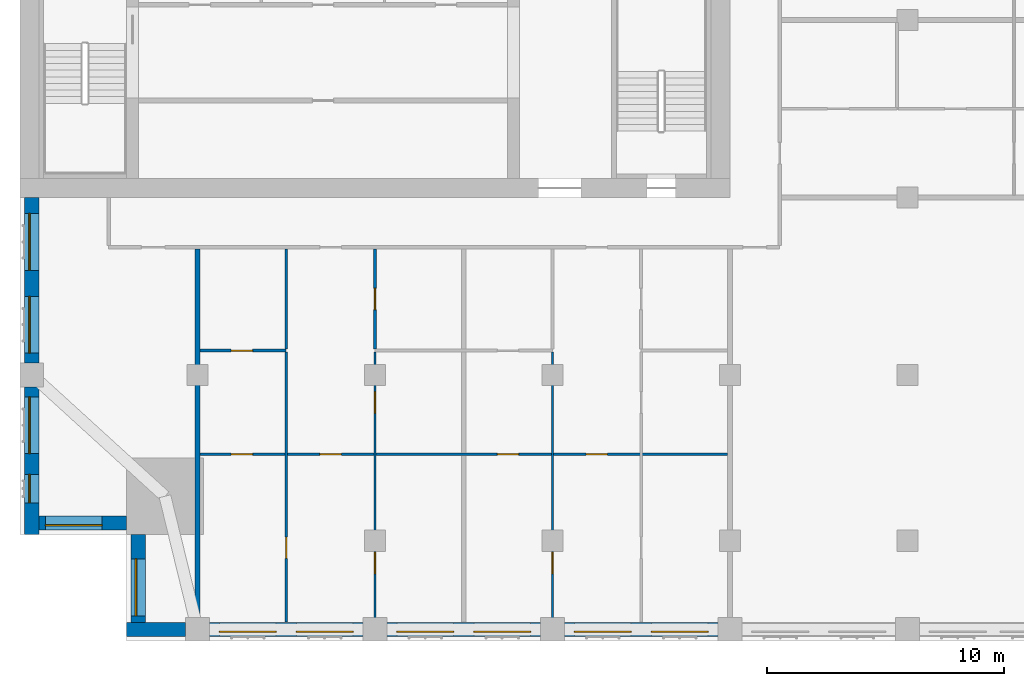
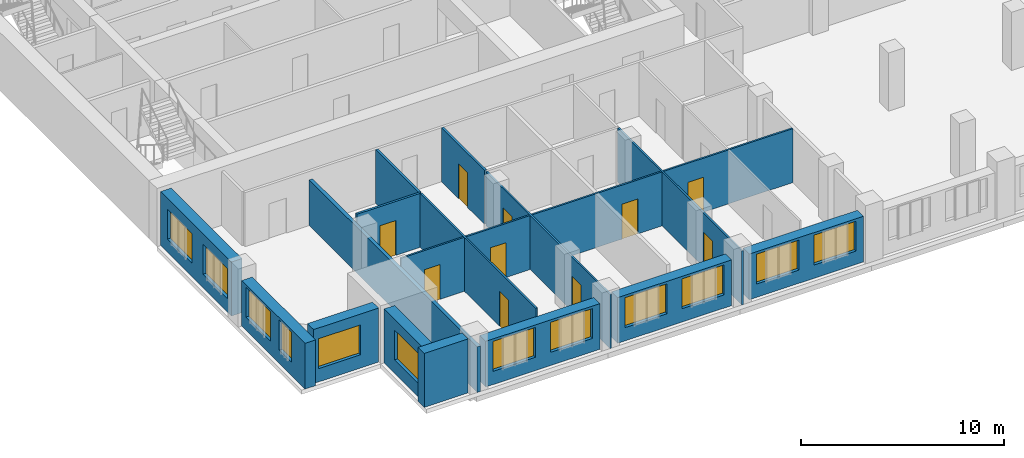
# One storey, part 6 of 14: 16 walls, 12 windows, 10 doors, 22 openings.
"""IFC4 building model written with IfcOpenShell, lengths in metres."""

from ifc_helpers import new_model, si_unit, direction, frame, frame_2d, origin, place, context, subcontext, project, spatial, rectangle, extrude, material, layer, layer_set, type_object, element, fill, save


model = new_model("IFC4")

# Units and contexts
model_context = context("Model", 3, precision=1e-05, world=origin(), true_north=direction((0.0, 1.0)))
body_context = subcontext(model_context, "Body", "Model", "MODEL_VIEW")
ifc_project = project(units=[si_unit("LENGTHUNIT", "METRE"), si_unit("AREAUNIT", "SQUARE_METRE"), si_unit("VOLUMEUNIT", "CUBIC_METRE"), si_unit("PLANEANGLEUNIT", "RADIAN"), si_unit("MASSUNIT", "GRAM", prefix="KILO")], contexts=[model_context])

# Site, building, storey
site_placement = place(None, origin())
site = spatial("IfcSite", under=ifc_project, at=site_placement, CompositionType="ELEMENT")
building_placement = place(site_placement, origin())
building = spatial("IfcBuilding", under=site, at=building_placement, Name="Tamorin Gate", CompositionType="ELEMENT")
storey_placement = place(building_placement, frame((0.0, 0.0, 196.699951171875)))
storey = spatial("IfcBuildingStorey", under=building, at=storey_placement, Name="L48", CompositionType="ELEMENT", Elevation=196.699951171875)

# Wall
ifc_material_1 = material(Name="Precast concrete C40/50", Category="concrete")
ifc_layer_1 = layer(ifc_material_1, 0.60009765625)
ifc_layer_set_1 = layer_set([ifc_layer_1], Name="Precast concrete C40/50")
wall_type_1 = type_object("IfcWallType", Name="Board-marked concrete facade panel 600", PredefinedType="SOLIDWALL", material=ifc_layer_set_1)
wall_1_placement = place(storey_placement, frame((34.5, 41.75, 0.0), z_axis=(0.0, 0.0, 1.0), x_axis=(1.0, 0.0, 0.0)))
element("IfcWall", 1, at=wall_1_placement, inside=storey, type_object=wall_type_1, Name="Facade panel", PredefinedType="SOLIDWALL", context=body_context, shape_type="SweptSolid", body=[
    extrude(rectangle(XDim=2.5, YDim=0.60009765625, at=frame_2d((1.25, 0.0))), origin(), (0.0, 0.0, 1.0), 3.25),
])

# Wall, openings, windows
wall_2_placement = place(storey_placement, frame((38.0, 41.75, 0.0), z_axis=(0.0, 0.0, 1.0), x_axis=(1.0, 0.0, 0.0)))
wall_2 = element("IfcWall", 2, at=wall_2_placement, inside=storey, type_object=wall_type_1, Name="Facade panel", PredefinedType="SOLIDWALL", context=body_context, shape_type="SweptSolid", body=[
    extrude(rectangle(XDim=6.5, YDim=0.60009765625, at=frame_2d((3.25, 0.0))), origin(), (0.0, 0.0, 1.0), 2.75),
])
opening_1_placement = place(wall_2_placement, frame((0.425048828125, 0.0, 0.800048828125)))
opening_1 = element("IfcOpeningElement", 3, at=opening_1_placement, cuts=wall_2, Name="Opening WN1", PredefinedType="OPENING", context=body_context, shape_type="SweptSolid", body=[
    extrude(rectangle(XDim=2.39990234375, YDim=1.800048828125, at=frame_2d((1.199951171875, 0.89990234375))), frame((0.0, 0.31005859375, 0.0), z_axis=(0.0, -1.0, 0.0), x_axis=(1.0, 0.0, 0.0)), (0.0, 0.0, 1.0), 0.6201171875),
])
opening_2_placement = place(wall_2_placement, frame((3.675048828125, 0.0, 0.800048828125)))
opening_2 = element("IfcOpeningElement", 4, at=opening_2_placement, cuts=wall_2, Name="Opening WN1", PredefinedType="OPENING", context=body_context, shape_type="SweptSolid", body=[
    extrude(rectangle(XDim=2.39990234375, YDim=1.800048828125, at=frame_2d((1.199951171875, 0.89990234375))), frame((0.0, 0.31005859375, 0.0), z_axis=(0.0, -1.0, 0.0), x_axis=(1.0, 0.0, 0.0)), (0.0, 0.0, 1.0), 0.6201171875),
])
ifc_material_2 = material(Name="Clear glass in aluminium frame", Category="aluminium")
window_type_1 = type_object("IfcWindowType", Name="Deep-set window 2400x1800", PartitioningType="SINGLE_PANEL", PredefinedType="WINDOW", material=ifc_material_2)
window_1_placement = place(opening_1_placement, origin())
window_1 = element("IfcWindow", 5, at=window_1_placement, inside=storey, type_object=window_type_1, Name="Deep-set window", OverallHeight=1.800048828125, OverallWidth=2.39990234375, PartitioningType="SINGLE_PANEL", PredefinedType="WINDOW", context=body_context, shape_type="SweptSolid", body=[
    extrude(rectangle(XDim=2.39990234375, YDim=1.800048828125, at=frame_2d((1.199951171875, 0.89990234375))), frame((0.0, -0.070068359375, 0.0), z_axis=(0.0, -1.0, 0.0), x_axis=(1.0, 0.0, 0.0)), (0.0, 0.0, 1.0), 0.06005859375),
])
fill(opening_1, window_1)
window_2_placement = place(opening_2_placement, origin())
window_2 = element("IfcWindow", 6, at=window_2_placement, inside=storey, type_object=window_type_1, Name="Deep-set window", OverallHeight=1.800048828125, OverallWidth=2.39990234375, PartitioningType="SINGLE_PANEL", PredefinedType="WINDOW", context=body_context, shape_type="SweptSolid", body=[
    extrude(rectangle(XDim=2.39990234375, YDim=1.800048828125, at=frame_2d((1.199951171875, 0.89990234375))), frame((0.0, -0.070068359375, 0.0), z_axis=(0.0, -1.0, 0.0), x_axis=(1.0, 0.0, 0.0)), (0.0, 0.0, 1.0), 0.06005859375),
])
fill(opening_2, window_2)

wall_3_placement = place(storey_placement, frame((45.5, 41.75, 0.0), z_axis=(0.0, 0.0, 1.0), x_axis=(1.0, 0.0, 0.0)))
wall_3 = element("IfcWall", 7, at=wall_3_placement, inside=storey, type_object=wall_type_1, Name="Facade panel", PredefinedType="SOLIDWALL", context=body_context, shape_type="SweptSolid", body=[
    extrude(rectangle(XDim=6.5, YDim=0.60009765625, at=frame_2d((3.25, 0.0))), origin(), (0.0, 0.0, 1.0), 2.75),
])
opening_3_placement = place(wall_3_placement, frame((0.425048828125, 0.0, 0.800048828125)))
opening_3 = element("IfcOpeningElement", 8, at=opening_3_placement, cuts=wall_3, Name="Opening WN1", PredefinedType="OPENING", context=body_context, shape_type="SweptSolid", body=[
    extrude(rectangle(XDim=2.39990234375, YDim=1.800048828125, at=frame_2d((1.199951171875, 0.89990234375))), frame((0.0, 0.31005859375, 0.0), z_axis=(0.0, -1.0, 0.0), x_axis=(1.0, 0.0, 0.0)), (0.0, 0.0, 1.0), 0.6201171875),
])
opening_4_placement = place(wall_3_placement, frame((3.675048828125, 0.0, 0.800048828125)))
opening_4 = element("IfcOpeningElement", 9, at=opening_4_placement, cuts=wall_3, Name="Opening WN1", PredefinedType="OPENING", context=body_context, shape_type="SweptSolid", body=[
    extrude(rectangle(XDim=2.39990234375, YDim=1.800048828125, at=frame_2d((1.199951171875, 0.89990234375))), frame((0.0, 0.31005859375, 0.0), z_axis=(0.0, -1.0, 0.0), x_axis=(1.0, 0.0, 0.0)), (0.0, 0.0, 1.0), 0.6201171875),
])
window_3_placement = place(opening_3_placement, origin())
window_3 = element("IfcWindow", 10, at=window_3_placement, inside=storey, type_object=window_type_1, Name="Deep-set window", OverallHeight=1.800048828125, OverallWidth=2.39990234375, PartitioningType="SINGLE_PANEL", PredefinedType="WINDOW", context=body_context, shape_type="SweptSolid", body=[
    extrude(rectangle(XDim=2.39990234375, YDim=1.800048828125, at=frame_2d((1.199951171875, 0.89990234375))), frame((0.0, -0.070068359375, 0.0), z_axis=(0.0, -1.0, 0.0), x_axis=(1.0, 0.0, 0.0)), (0.0, 0.0, 1.0), 0.06005859375),
])
fill(opening_3, window_3)
window_4_placement = place(opening_4_placement, origin())
window_4 = element("IfcWindow", 11, at=window_4_placement, inside=storey, type_object=window_type_1, Name="Deep-set window", OverallHeight=1.800048828125, OverallWidth=2.39990234375, PartitioningType="SINGLE_PANEL", PredefinedType="WINDOW", context=body_context, shape_type="SweptSolid", body=[
    extrude(rectangle(XDim=2.39990234375, YDim=1.800048828125, at=frame_2d((1.199951171875, 0.89990234375))), frame((0.0, -0.070068359375, 0.0), z_axis=(0.0, -1.0, 0.0), x_axis=(1.0, 0.0, 0.0)), (0.0, 0.0, 1.0), 0.06005859375),
])
fill(opening_4, window_4)

wall_4_placement = place(storey_placement, frame((53.0, 41.75, 0.0), z_axis=(0.0, 0.0, 1.0), x_axis=(1.0, 0.0, 0.0)))
wall_4 = element("IfcWall", 12, at=wall_4_placement, inside=storey, type_object=wall_type_1, Name="Facade panel", PredefinedType="SOLIDWALL", context=body_context, shape_type="SweptSolid", body=[
    extrude(rectangle(XDim=6.5, YDim=0.60009765625, at=frame_2d((3.25, 0.0))), origin(), (0.0, 0.0, 1.0), 2.75),
])
opening_5_placement = place(wall_4_placement, frame((0.425048828125, 0.0, 0.800048828125)))
opening_5 = element("IfcOpeningElement", 13, at=opening_5_placement, cuts=wall_4, Name="Opening WN1", PredefinedType="OPENING", context=body_context, shape_type="SweptSolid", body=[
    extrude(rectangle(XDim=2.39990234375, YDim=1.800048828125, at=frame_2d((1.199951171875, 0.89990234375))), frame((0.0, 0.31005859375, 0.0), z_axis=(0.0, -1.0, 0.0), x_axis=(1.0, 0.0, 0.0)), (0.0, 0.0, 1.0), 0.6201171875),
])
opening_6_placement = place(wall_4_placement, frame((3.675048828125, 0.0, 0.800048828125)))
opening_6 = element("IfcOpeningElement", 14, at=opening_6_placement, cuts=wall_4, Name="Opening WN1", PredefinedType="OPENING", context=body_context, shape_type="SweptSolid", body=[
    extrude(rectangle(XDim=2.39990234375, YDim=1.800048828125, at=frame_2d((1.199951171875, 0.89990234375))), frame((0.0, 0.31005859375, 0.0), z_axis=(0.0, -1.0, 0.0), x_axis=(1.0, 0.0, 0.0)), (0.0, 0.0, 1.0), 0.6201171875),
])
window_5_placement = place(opening_5_placement, origin())
window_5 = element("IfcWindow", 15, at=window_5_placement, inside=storey, type_object=window_type_1, Name="Deep-set window", OverallHeight=1.800048828125, OverallWidth=2.39990234375, PartitioningType="SINGLE_PANEL", PredefinedType="WINDOW", context=body_context, shape_type="SweptSolid", body=[
    extrude(rectangle(XDim=2.39990234375, YDim=1.800048828125, at=frame_2d((1.199951171875, 0.89990234375))), frame((0.0, -0.070068359375, 0.0), z_axis=(0.0, -1.0, 0.0), x_axis=(1.0, 0.0, 0.0)), (0.0, 0.0, 1.0), 0.06005859375),
])
fill(opening_5, window_5)
window_6_placement = place(opening_6_placement, origin())
window_6 = element("IfcWindow", 16, at=window_6_placement, inside=storey, type_object=window_type_1, Name="Deep-set window", OverallHeight=1.800048828125, OverallWidth=2.39990234375, PartitioningType="SINGLE_PANEL", PredefinedType="WINDOW", context=body_context, shape_type="SweptSolid", body=[
    extrude(rectangle(XDim=2.39990234375, YDim=1.800048828125, at=frame_2d((1.199951171875, 0.89990234375))), frame((0.0, -0.070068359375, 0.0), z_axis=(0.0, -1.0, 0.0), x_axis=(1.0, 0.0, 0.0)), (0.0, 0.0, 1.0), 0.06005859375),
])
fill(opening_6, window_6)

wall_5_placement = place(storey_placement, frame((30.5, 60.0, 0.0), z_axis=(0.0, 0.0, 1.0), x_axis=(0.0, -1.0, 0.0)))
wall_5 = element("IfcWall", 17, at=wall_5_placement, inside=storey, type_object=wall_type_1, Name="Facade panel", PredefinedType="SOLIDWALL", context=body_context, shape_type="SweptSolid", body=[
    extrude(rectangle(XDim=7.0, YDim=0.60009765625, at=frame_2d((3.5, 0.0))), origin(), (0.0, 0.0, 1.0), 3.25),
])
opening_7_placement = place(wall_5_placement, frame((4.175048828125, 0.0, 0.800048828125)))
opening_7 = element("IfcOpeningElement", 18, at=opening_7_placement, cuts=wall_5, Name="Opening WN1", PredefinedType="OPENING", context=body_context, shape_type="SweptSolid", body=[
    extrude(rectangle(XDim=2.39990234375, YDim=1.800048828125, at=frame_2d((1.199951171875, 0.89990234375))), frame((0.0, 0.31005859375, 0.0), z_axis=(0.0, -1.0, 0.0), x_axis=(1.0, 0.0, 0.0)), (0.0, 0.0, 1.0), 0.6201171875),
])
opening_8_placement = place(wall_5_placement, frame((0.675048828125, 0.0, 0.800048828125)))
opening_8 = element("IfcOpeningElement", 19, at=opening_8_placement, cuts=wall_5, Name="Opening WN1", PredefinedType="OPENING", context=body_context, shape_type="SweptSolid", body=[
    extrude(rectangle(XDim=2.39990234375, YDim=1.800048828125, at=frame_2d((1.199951171875, 0.89990234375))), frame((0.0, 0.31005859375, 0.0), z_axis=(0.0, -1.0, 0.0), x_axis=(1.0, 0.0, 0.0)), (0.0, 0.0, 1.0), 0.6201171875),
])
window_7_placement = place(opening_7_placement, origin())
window_7 = element("IfcWindow", 20, at=window_7_placement, inside=storey, type_object=window_type_1, Name="Deep-set window", OverallHeight=1.800048828125, OverallWidth=2.39990234375, PartitioningType="SINGLE_PANEL", PredefinedType="WINDOW", context=body_context, shape_type="SweptSolid", body=[
    extrude(rectangle(XDim=2.39990234375, YDim=1.800048828125, at=frame_2d((1.199951171875, 0.89990234375))), frame((0.0, -0.070068359375, 0.0), z_axis=(0.0, -1.0, 0.0), x_axis=(1.0, 0.0, 0.0)), (0.0, 0.0, 1.0), 0.06005859375),
])
fill(opening_7, window_7)
window_8_placement = place(opening_8_placement, origin())
window_8 = element("IfcWindow", 21, at=window_8_placement, inside=storey, type_object=window_type_1, Name="Deep-set window", OverallHeight=1.800048828125, OverallWidth=2.39990234375, PartitioningType="SINGLE_PANEL", PredefinedType="WINDOW", context=body_context, shape_type="SweptSolid", body=[
    extrude(rectangle(XDim=2.39990234375, YDim=1.800048828125, at=frame_2d((1.199951171875, 0.89990234375))), frame((0.0, -0.070068359375, 0.0), z_axis=(0.0, -1.0, 0.0), x_axis=(1.0, 0.0, 0.0)), (0.0, 0.0, 1.0), 0.06005859375),
])
fill(opening_8, window_8)

wall_6_placement = place(storey_placement, frame((30.5, 52.0, 0.0), z_axis=(0.0, 0.0, 1.0), x_axis=(0.0, -1.0, 0.0)))
wall_6 = element("IfcWall", 22, at=wall_6_placement, inside=storey, type_object=wall_type_1, Name="Facade panel", PredefinedType="SOLIDWALL", context=body_context, shape_type="SweptSolid", body=[
    extrude(rectangle(XDim=6.25, YDim=0.60009765625, at=frame_2d((3.125, 0.0))), origin(), (0.0, 0.0, 1.0), 2.75),
])
opening_9_placement = place(wall_6_placement, frame((3.699951171875, 0.0, 0.800048828125)))
opening_9 = element("IfcOpeningElement", 23, at=opening_9_placement, cuts=wall_6, Name="Opening WN3", PredefinedType="OPENING", context=body_context, shape_type="SweptSolid", body=[
    extrude(rectangle(XDim=1.199951171875, YDim=1.800048828125, at=frame_2d((0.60009765625, 0.89990234375))), frame((0.0, 0.31005859375, 0.0), z_axis=(0.0, -1.0, 0.0), x_axis=(1.0, 0.0, 0.0)), (0.0, 0.0, 1.0), 0.6201171875),
])
opening_10_placement = place(wall_6_placement, frame((0.425048828125, 0.0, 0.800048828125)))
opening_10 = element("IfcOpeningElement", 24, at=opening_10_placement, cuts=wall_6, Name="Opening WN1", PredefinedType="OPENING", context=body_context, shape_type="SweptSolid", body=[
    extrude(rectangle(XDim=2.39990234375, YDim=1.800048828125, at=frame_2d((1.199951171875, 0.89990234375))), frame((0.0, 0.31005859375, 0.0), z_axis=(0.0, -1.0, 0.0), x_axis=(1.0, 0.0, 0.0)), (0.0, 0.0, 1.0), 0.6201171875),
])
window_type_2 = type_object("IfcWindowType", Name="Deep-set window 1200x1800", PartitioningType="SINGLE_PANEL", PredefinedType="WINDOW", material=ifc_material_2)
window_9_placement = place(opening_9_placement, origin())
window_9 = element("IfcWindow", 25, at=window_9_placement, inside=storey, type_object=window_type_2, Name="Deep-set window", OverallHeight=1.800048828125, OverallWidth=1.199951171875, PartitioningType="SINGLE_PANEL", PredefinedType="WINDOW", context=body_context, shape_type="SweptSolid", body=[
    extrude(rectangle(XDim=1.199951171875, YDim=1.800048828125, at=frame_2d((0.60009765625, 0.89990234375))), frame((0.0, -0.070068359375, 0.0), z_axis=(0.0, -1.0, 0.0), x_axis=(1.0, 0.0, 0.0)), (0.0, 0.0, 1.0), 0.06005859375),
])
fill(opening_9, window_9)
window_10_placement = place(opening_10_placement, origin())
window_10 = element("IfcWindow", 26, at=window_10_placement, inside=storey, type_object=window_type_1, Name="Deep-set window", OverallHeight=1.800048828125, OverallWidth=2.39990234375, PartitioningType="SINGLE_PANEL", PredefinedType="WINDOW", context=body_context, shape_type="SweptSolid", body=[
    extrude(rectangle(XDim=2.39990234375, YDim=1.800048828125, at=frame_2d((1.199951171875, 0.89990234375))), frame((0.0, -0.070068359375, 0.0), z_axis=(0.0, -1.0, 0.0), x_axis=(1.0, 0.0, 0.0)), (0.0, 0.0, 1.0), 0.06005859375),
])
fill(opening_10, window_10)

# Wall, opening, window
wall_7_placement = place(storey_placement, frame((30.800048828125, 46.25, 0.0), z_axis=(0.0, 0.0, 1.0), x_axis=(1.0, 0.0, 0.0)))
wall_7 = element("IfcWall", 27, at=wall_7_placement, inside=storey, type_object=wall_type_1, Name="Facade panel", PredefinedType="SOLIDWALL", context=body_context, shape_type="SweptSolid", body=[
    extrude(rectangle(XDim=3.699951171875, YDim=0.60009765625, at=frame_2d((1.85009765625, 0.0))), origin(), (0.0, 0.0, 1.0), 3.25),
])
opening_11_placement = place(wall_7_placement, frame((0.27490234375, 0.0, 0.800048828125)))
opening_11 = element("IfcOpeningElement", 28, at=opening_11_placement, cuts=wall_7, Name="Opening WN1", PredefinedType="OPENING", context=body_context, shape_type="SweptSolid", body=[
    extrude(rectangle(XDim=2.39990234375, YDim=1.800048828125, at=frame_2d((1.199951171875, 0.89990234375))), frame((0.0, 0.31005859375, 0.0), z_axis=(0.0, -1.0, 0.0), x_axis=(1.0, 0.0, 0.0)), (0.0, 0.0, 1.0), 0.6201171875),
])
window_11_placement = place(opening_11_placement, origin())
window_11 = element("IfcWindow", 29, at=window_11_placement, inside=storey, type_object=window_type_1, Name="Deep-set window", OverallHeight=1.800048828125, OverallWidth=2.39990234375, PartitioningType="SINGLE_PANEL", PredefinedType="WINDOW", context=body_context, shape_type="SweptSolid", body=[
    extrude(rectangle(XDim=2.39990234375, YDim=1.800048828125, at=frame_2d((1.199951171875, 0.89990234375))), frame((0.0, -0.070068359375, 0.0), z_axis=(0.0, -1.0, 0.0), x_axis=(1.0, 0.0, 0.0)), (0.0, 0.0, 1.0), 0.06005859375),
])
fill(opening_11, window_11)

wall_8_placement = place(storey_placement, frame((35.0, 45.75, 0.0), z_axis=(0.0, 0.0, 1.0), x_axis=(0.0, -1.0, 0.0)))
wall_8 = element("IfcWall", 30, at=wall_8_placement, inside=storey, type_object=wall_type_1, Name="Facade panel", PredefinedType="SOLIDWALL", context=body_context, shape_type="SweptSolid", body=[
    extrude(rectangle(XDim=3.699951171875, YDim=0.60009765625, at=frame_2d((1.85009765625, 0.0))), origin(), (0.0, 0.0, 1.0), 3.25),
])
opening_12_placement = place(wall_8_placement, frame((1.02490234375, 0.0, 0.800048828125)))
opening_12 = element("IfcOpeningElement", 31, at=opening_12_placement, cuts=wall_8, Name="Opening WN1", PredefinedType="OPENING", context=body_context, shape_type="SweptSolid", body=[
    extrude(rectangle(XDim=2.39990234375, YDim=1.800048828125, at=frame_2d((1.199951171875, 0.89990234375))), frame((0.0, 0.31005859375, 0.0), z_axis=(0.0, -1.0, 0.0), x_axis=(1.0, 0.0, 0.0)), (0.0, 0.0, 1.0), 0.6201171875),
])
window_12_placement = place(opening_12_placement, origin())
window_12 = element("IfcWindow", 32, at=window_12_placement, inside=storey, type_object=window_type_1, Name="Deep-set window", OverallHeight=1.800048828125, OverallWidth=2.39990234375, PartitioningType="SINGLE_PANEL", PredefinedType="WINDOW", context=body_context, shape_type="SweptSolid", body=[
    extrude(rectangle(XDim=2.39990234375, YDim=1.800048828125, at=frame_2d((1.199951171875, 0.89990234375))), frame((0.0, -0.070068359375, 0.0), z_axis=(0.0, -1.0, 0.0), x_axis=(1.0, 0.0, 0.0)), (0.0, 0.0, 1.0), 0.06005859375),
])
fill(opening_12, window_12)

# Wall
ifc_material_3 = material(Name="Gypsum board partition")
ifc_layer_2 = layer(ifc_material_3, 0.199951171875)
ifc_layer_set_2 = layer_set([ifc_layer_2], Name="Demising wall 200")
wall_type_2 = type_object("IfcWallType", Name="Demising wall 200", PredefinedType="PARTITIONING", material=ifc_layer_set_2)
wall_9_placement = place(storey_placement, frame((37.5, 41.25, 0.0), z_axis=(0.0, 0.0, 1.0), x_axis=(0.0, 1.0, 0.0)))
element("IfcWall", 33, at=wall_9_placement, inside=storey, type_object=wall_type_2, Name="Demising wall 200", PredefinedType="PARTITIONING", context=body_context, shape_type="SweptSolid", body=[
    extrude(rectangle(XDim=16.574951171875, YDim=0.199951171875, at=frame_2d((8.28759765625, 0.0))), origin(), (0.0, 0.0, 1.0), 2.75),
])

# Wall, openings, doors
ifc_layer_3 = layer(ifc_material_3, 0.10009765625)
ifc_layer_set_3 = layer_set([ifc_layer_3], Name="Room partition 100")
wall_type_3 = type_object("IfcWallType", Name="Room partition 100", PredefinedType="PARTITIONING", material=ifc_layer_set_3)
wall_10_placement = place(storey_placement, frame((37.60009765625, 49.14990234375, 0.0), z_axis=(0.0, 0.0, 1.0), x_axis=(1.0, 0.0, 0.0)))
wall_10 = element("IfcWall", 34, at=wall_10_placement, inside=storey, type_object=wall_type_3, Name="Room partition 100", PredefinedType="PARTITIONING", context=body_context, shape_type="SweptSolid", body=[
    extrude(rectangle(XDim=22.2998046875, YDim=0.10009765625, at=frame_2d((11.14990234375, 0.0))), origin(), (0.0, 0.0, 1.0), 3.25),
])
opening_13_placement = place(wall_10_placement, frame((1.324951171875, 0.0, 0.0)))
opening_13 = element("IfcOpeningElement", 35, at=opening_13_placement, cuts=wall_10, Name="Opening DR2002", PredefinedType="OPENING", context=body_context, shape_type="SweptSolid", body=[
    extrude(rectangle(XDim=0.89990234375, YDim=2.10009765625, at=frame_2d((0.449951171875, 1.050048828125))), frame((0.0, 0.06005859375, 0.0), z_axis=(0.0, -1.0, 0.0), x_axis=(1.0, 0.0, 0.0)), (0.0, 0.0, 1.0), 0.1201171875),
])
opening_14_placement = place(wall_10_placement, frame((5.074951171875, 0.0, 0.0)))
opening_14 = element("IfcOpeningElement", 36, at=opening_14_placement, cuts=wall_10, Name="Opening DR2005", PredefinedType="OPENING", context=body_context, shape_type="SweptSolid", body=[
    extrude(rectangle(XDim=0.89990234375, YDim=2.10009765625, at=frame_2d((0.449951171875, 1.050048828125))), frame((0.0, 0.06005859375, 0.0), z_axis=(0.0, -1.0, 0.0), x_axis=(1.0, 0.0, 0.0)), (0.0, 0.0, 1.0), 0.1201171875),
])
opening_15_placement = place(wall_10_placement, frame((12.574951171875, 0.0, 0.0)))
opening_15 = element("IfcOpeningElement", 37, at=opening_15_placement, cuts=wall_10, Name="Opening DR2010", PredefinedType="OPENING", context=body_context, shape_type="SweptSolid", body=[
    extrude(rectangle(XDim=0.89990234375, YDim=2.10009765625, at=frame_2d((0.449951171875, 1.050048828125))), frame((0.0, 0.06005859375, 0.0), z_axis=(0.0, -1.0, 0.0), x_axis=(1.0, 0.0, 0.0)), (0.0, 0.0, 1.0), 0.1201171875),
])
opening_16_placement = place(wall_10_placement, frame((16.324951171875, 0.0, 0.0)))
opening_16 = element("IfcOpeningElement", 38, at=opening_16_placement, cuts=wall_10, Name="Opening DR2013", PredefinedType="OPENING", context=body_context, shape_type="SweptSolid", body=[
    extrude(rectangle(XDim=0.89990234375, YDim=2.10009765625, at=frame_2d((0.449951171875, 1.050048828125))), frame((0.0, 0.06005859375, 0.0), z_axis=(0.0, -1.0, 0.0), x_axis=(1.0, 0.0, 0.0)), (0.0, 0.0, 1.0), 0.1201171875),
])
ifc_material_4 = material(Name="Timber door leaf", Category="wood")
door_type = type_object("IfcDoorType", Name="Door 900 x 2100", OperationType="NOTDEFINED", PredefinedType="DOOR", material=ifc_material_4)
door_1_placement = place(opening_13_placement, origin())
door_1 = element("IfcDoor", 39, at=door_1_placement, inside=storey, type_object=door_type, Name="Door DR2002", OperationType="SINGLE_SWING_LEFT", OverallHeight=2.10009765625, OverallWidth=0.89990234375, PredefinedType="DOOR", context=body_context, shape_type="SweptSolid", body=[
    extrude(rectangle(XDim=0.89990234375, YDim=2.10009765625, at=frame_2d((0.449951171875, 1.050048828125))), frame((0.0, 0.02490234375, 0.0), z_axis=(0.0, -1.0, 0.0), x_axis=(1.0, 0.0, 0.0)), (0.0, 0.0, 1.0), 0.050048828125),
])
fill(opening_13, door_1)
door_2_placement = place(opening_14_placement, origin())
door_2 = element("IfcDoor", 40, at=door_2_placement, inside=storey, type_object=door_type, Name="Door DR2005", OperationType="SINGLE_SWING_LEFT", OverallHeight=2.10009765625, OverallWidth=0.89990234375, PredefinedType="DOOR", context=body_context, shape_type="SweptSolid", body=[
    extrude(rectangle(XDim=0.89990234375, YDim=2.10009765625, at=frame_2d((0.449951171875, 1.050048828125))), frame((0.0, 0.02490234375, 0.0), z_axis=(0.0, -1.0, 0.0), x_axis=(1.0, 0.0, 0.0)), (0.0, 0.0, 1.0), 0.050048828125),
])
fill(opening_14, door_2)
door_3_placement = place(opening_15_placement, origin())
door_3 = element("IfcDoor", 41, at=door_3_placement, inside=storey, type_object=door_type, Name="Door DR2010", OperationType="SINGLE_SWING_LEFT", OverallHeight=2.10009765625, OverallWidth=0.89990234375, PredefinedType="DOOR", context=body_context, shape_type="SweptSolid", body=[
    extrude(rectangle(XDim=0.89990234375, YDim=2.10009765625, at=frame_2d((0.449951171875, 1.050048828125))), frame((0.0, 0.02490234375, 0.0), z_axis=(0.0, -1.0, 0.0), x_axis=(1.0, 0.0, 0.0)), (0.0, 0.0, 1.0), 0.050048828125),
])
fill(opening_15, door_3)
door_4_placement = place(opening_16_placement, origin())
door_4 = element("IfcDoor", 42, at=door_4_placement, inside=storey, type_object=door_type, Name="Door DR2013", OperationType="SINGLE_SWING_LEFT", OverallHeight=2.10009765625, OverallWidth=0.89990234375, PredefinedType="DOOR", context=body_context, shape_type="SweptSolid", body=[
    extrude(rectangle(XDim=0.89990234375, YDim=2.10009765625, at=frame_2d((0.449951171875, 1.050048828125))), frame((0.0, 0.02490234375, 0.0), z_axis=(0.0, -1.0, 0.0), x_axis=(1.0, 0.0, 0.0)), (0.0, 0.0, 1.0), 0.050048828125),
])
fill(opening_16, door_4)

# Wall, opening, door
wall_11_placement = place(storey_placement, frame((41.25, 42.06005859375, 0.0), z_axis=(0.0, 0.0, 1.0), x_axis=(0.0, 1.0, 0.0)))
wall_11 = element("IfcWall", 43, at=wall_11_placement, inside=storey, type_object=wall_type_3, Name="Room partition 100", PredefinedType="PARTITIONING", context=body_context, shape_type="SweptSolid", body=[
    extrude(rectangle(XDim=11.40234375, YDim=0.10009765625, at=frame_2d((5.701171875, 0.0))), origin(), (0.0, 0.0, 1.0), 3.25),
])
opening_17_placement = place(wall_11_placement, frame((2.68994140625, 0.0, 0.0)))
opening_17 = element("IfcOpeningElement", 44, at=opening_17_placement, cuts=wall_11, Name="Opening DR2008", PredefinedType="OPENING", context=body_context, shape_type="SweptSolid", body=[
    extrude(rectangle(XDim=0.89990234375, YDim=2.10009765625, at=frame_2d((0.449951171875, 1.050048828125))), frame((0.0, 0.06005859375, 0.0), z_axis=(0.0, -1.0, 0.0), x_axis=(1.0, 0.0, 0.0)), (0.0, 0.0, 1.0), 0.1201171875),
])
door_5_placement = place(opening_17_placement, origin())
door_5 = element("IfcDoor", 45, at=door_5_placement, inside=storey, type_object=door_type, Name="Door DR2008", OperationType="SINGLE_SWING_LEFT", OverallHeight=2.10009765625, OverallWidth=0.89990234375, PredefinedType="DOOR", context=body_context, shape_type="SweptSolid", body=[
    extrude(rectangle(XDim=0.89990234375, YDim=2.10009765625, at=frame_2d((0.449951171875, 1.050048828125))), frame((0.0, 0.02490234375, 0.0), z_axis=(0.0, -1.0, 0.0), x_axis=(1.0, 0.0, 0.0)), (0.0, 0.0, 1.0), 0.050048828125),
])
fill(opening_17, door_5)

# Wall, openings, doors
wall_12_placement = place(storey_placement, frame((45.0, 41.25, 0.0), z_axis=(0.0, 0.0, 1.0), x_axis=(0.0, 1.0, 0.0)))
wall_12 = element("IfcWall", 46, at=wall_12_placement, inside=storey, type_object=wall_type_3, Name="Room partition 100", PredefinedType="PARTITIONING", context=body_context, shape_type="SweptSolid", body=[
    extrude(rectangle(XDim=12.21240234375, YDim=0.10009765625, at=frame_2d((6.106201171875, 0.0))), origin(), (0.0, 0.0, 1.0), 3.25),
])
opening_18_placement = place(wall_12_placement, frame((9.637451171875, 0.0, 0.0)))
opening_18 = element("IfcOpeningElement", 47, at=opening_18_placement, cuts=wall_12, Name="Opening DR2006", PredefinedType="OPENING", context=body_context, shape_type="SweptSolid", body=[
    extrude(rectangle(XDim=0.89990234375, YDim=2.10009765625, at=frame_2d((0.449951171875, 1.050048828125))), frame((0.0, 0.06005859375, 0.0), z_axis=(0.0, -1.0, 0.0), x_axis=(1.0, 0.0, 0.0)), (0.0, 0.0, 1.0), 0.1201171875),
])
opening_19_placement = place(wall_12_placement, frame((2.85009765625, 0.0, 0.0)))
opening_19 = element("IfcOpeningElement", 48, at=opening_19_placement, cuts=wall_12, Name="Opening DR2009", PredefinedType="OPENING", context=body_context, shape_type="SweptSolid", body=[
    extrude(rectangle(XDim=0.89990234375, YDim=2.10009765625, at=frame_2d((0.449951171875, 1.050048828125))), frame((0.0, 0.06005859375, 0.0), z_axis=(0.0, -1.0, 0.0), x_axis=(1.0, 0.0, 0.0)), (0.0, 0.0, 1.0), 0.1201171875),
])
door_6_placement = place(opening_18_placement, origin())
door_6 = element("IfcDoor", 49, at=door_6_placement, inside=storey, type_object=door_type, Name="Door DR2006", OperationType="SINGLE_SWING_RIGHT", OverallHeight=2.10009765625, OverallWidth=0.89990234375, PredefinedType="DOOR", context=body_context, shape_type="SweptSolid", body=[
    extrude(rectangle(XDim=0.89990234375, YDim=2.10009765625, at=frame_2d((0.449951171875, 1.050048828125))), frame((0.0, 0.02490234375, 0.0), z_axis=(0.0, -1.0, 0.0), x_axis=(1.0, 0.0, 0.0)), (0.0, 0.0, 1.0), 0.050048828125),
])
fill(opening_18, door_6)
door_7_placement = place(opening_19_placement, origin())
door_7 = element("IfcDoor", 50, at=door_7_placement, inside=storey, type_object=door_type, Name="Door DR2009", OperationType="SINGLE_SWING_LEFT", OverallHeight=2.10009765625, OverallWidth=0.89990234375, PredefinedType="DOOR", context=body_context, shape_type="SweptSolid", body=[
    extrude(rectangle(XDim=0.89990234375, YDim=2.10009765625, at=frame_2d((0.449951171875, 1.050048828125))), frame((0.0, 0.02490234375, 0.0), z_axis=(0.0, -1.0, 0.0), x_axis=(1.0, 0.0, 0.0)), (0.0, 0.0, 1.0), 0.050048828125),
])
fill(opening_19, door_7)

# Wall, opening, door
wall_13_placement = place(storey_placement, frame((52.5, 41.25, 0.0), z_axis=(0.0, 0.0, 1.0), x_axis=(0.0, 1.0, 0.0)))
wall_13 = element("IfcWall", 51, at=wall_13_placement, inside=storey, type_object=wall_type_3, Name="Room partition 100", PredefinedType="PARTITIONING", context=body_context, shape_type="SweptSolid", body=[
    extrude(rectangle(XDim=12.21240234375, YDim=0.10009765625, at=frame_2d((6.106201171875, 0.0))), origin(), (0.0, 0.0, 1.0), 3.25),
])
opening_20_placement = place(wall_13_placement, frame((2.85009765625, 0.0, 0.0)))
opening_20 = element("IfcOpeningElement", 52, at=opening_20_placement, cuts=wall_13, Name="Opening DR2016", PredefinedType="OPENING", context=body_context, shape_type="SweptSolid", body=[
    extrude(rectangle(XDim=0.89990234375, YDim=2.10009765625, at=frame_2d((0.449951171875, 1.050048828125))), frame((0.0, 0.06005859375, 0.0), z_axis=(0.0, -1.0, 0.0), x_axis=(1.0, 0.0, 0.0)), (0.0, 0.0, 1.0), 0.1201171875),
])
door_8_placement = place(opening_20_placement, origin())
door_8 = element("IfcDoor", 53, at=door_8_placement, inside=storey, type_object=door_type, Name="Door DR2016", OperationType="SINGLE_SWING_LEFT", OverallHeight=2.10009765625, OverallWidth=0.89990234375, PredefinedType="DOOR", context=body_context, shape_type="SweptSolid", body=[
    extrude(rectangle(XDim=0.89990234375, YDim=2.10009765625, at=frame_2d((0.449951171875, 1.050048828125))), frame((0.0, 0.02490234375, 0.0), z_axis=(0.0, -1.0, 0.0), x_axis=(1.0, 0.0, 0.0)), (0.0, 0.0, 1.0), 0.050048828125),
])
fill(opening_20, door_8)

ifc_layer_4 = layer(ifc_material_3, 0.125)
ifc_layer_set_4 = layer_set([ifc_layer_4], Name="Wet wall 125")
wall_type_4 = type_object("IfcWallType", Name="Wet wall 125", PredefinedType="PARTITIONING", material=ifc_layer_set_4)
wall_14_placement = place(storey_placement, frame((37.60009765625, 53.52490234375, 0.0), z_axis=(0.0, 0.0, 1.0), x_axis=(1.0, 0.0, 0.0)))
wall_14 = element("IfcWall", 54, at=wall_14_placement, inside=storey, type_object=wall_type_4, Name="Wet wall 125", PredefinedType="PARTITIONING", context=body_context, shape_type="SweptSolid", body=[
    extrude(rectangle(XDim=3.64990234375, YDim=0.125, at=frame_2d((1.824951171875, 0.0))), origin(), (0.0, 0.0, 1.0), 3.25),
])
opening_21_placement = place(wall_14_placement, frame((1.324951171875, 0.0, 0.0)))
opening_21 = element("IfcOpeningElement", 55, at=opening_21_placement, cuts=wall_14, Name="Opening DR2003", PredefinedType="OPENING", context=body_context, shape_type="SweptSolid", body=[
    extrude(rectangle(XDim=0.89990234375, YDim=2.10009765625, at=frame_2d((0.449951171875, 1.050048828125))), frame((0.0, 0.072509765625, 0.0), z_axis=(0.0, -1.0, 0.0), x_axis=(1.0, 0.0, 0.0)), (0.0, 0.0, 1.0), 0.14501953125),
])
door_9_placement = place(opening_21_placement, origin())
door_9 = element("IfcDoor", 56, at=door_9_placement, inside=storey, type_object=door_type, Name="Door DR2003", OperationType="SINGLE_SWING_LEFT", OverallHeight=2.10009765625, OverallWidth=0.89990234375, PredefinedType="DOOR", context=body_context, shape_type="SweptSolid", body=[
    extrude(rectangle(XDim=0.89990234375, YDim=2.10009765625, at=frame_2d((0.449951171875, 1.050048828125))), frame((0.0, 0.02490234375, 0.0), z_axis=(0.0, -1.0, 0.0), x_axis=(1.0, 0.0, 0.0)), (0.0, 0.0, 1.0), 0.050048828125),
])
fill(opening_21, door_9)

# Wall
wall_15_placement = place(storey_placement, frame((41.25, 53.58740234375, 0.0), z_axis=(0.0, 0.0, 1.0), x_axis=(0.0, 1.0, 0.0)))
element("IfcWall", 57, at=wall_15_placement, inside=storey, type_object=wall_type_4, Name="Wet wall 125", PredefinedType="PARTITIONING", context=body_context, shape_type="SweptSolid", body=[
    extrude(rectangle(XDim=4.237548828125, YDim=0.125, at=frame_2d((2.11865234375, 0.0))), origin(), (0.0, 0.0, 1.0), 3.25),
])

# Wall, opening, door
wall_16_placement = place(storey_placement, frame((45.0, 53.58740234375, 0.0), z_axis=(0.0, 0.0, 1.0), x_axis=(0.0, 1.0, 0.0)))
wall_16 = element("IfcWall", 58, at=wall_16_placement, inside=storey, type_object=wall_type_4, Name="Wet wall 125", PredefinedType="PARTITIONING", context=body_context, shape_type="SweptSolid", body=[
    extrude(rectangle(XDim=4.237548828125, YDim=0.125, at=frame_2d((2.11865234375, 0.0))), origin(), (0.0, 0.0, 1.0), 3.25),
])
opening_22_placement = place(wall_16_placement, frame((1.675048828125, 0.0, 0.0)))
opening_22 = element("IfcOpeningElement", 59, at=opening_22_placement, cuts=wall_16, Name="Opening DR2007", PredefinedType="OPENING", context=body_context, shape_type="SweptSolid", body=[
    extrude(rectangle(XDim=0.89990234375, YDim=2.10009765625, at=frame_2d((0.449951171875, 1.050048828125))), frame((0.0, 0.072509765625, 0.0), z_axis=(0.0, -1.0, 0.0), x_axis=(1.0, 0.0, 0.0)), (0.0, 0.0, 1.0), 0.14501953125),
])
door_10_placement = place(opening_22_placement, origin())
door_10 = element("IfcDoor", 60, at=door_10_placement, inside=storey, type_object=door_type, Name="Door DR2007", OperationType="SINGLE_SWING_RIGHT", OverallHeight=2.10009765625, OverallWidth=0.89990234375, PredefinedType="DOOR", context=body_context, shape_type="SweptSolid", body=[
    extrude(rectangle(XDim=0.89990234375, YDim=2.10009765625, at=frame_2d((0.449951171875, 1.050048828125))), frame((0.0, 0.02490234375, 0.0), z_axis=(0.0, -1.0, 0.0), x_axis=(1.0, 0.0, 0.0)), (0.0, 0.0, 1.0), 0.050048828125),
])
fill(opening_22, door_10)

save(model, "model.ifc")
